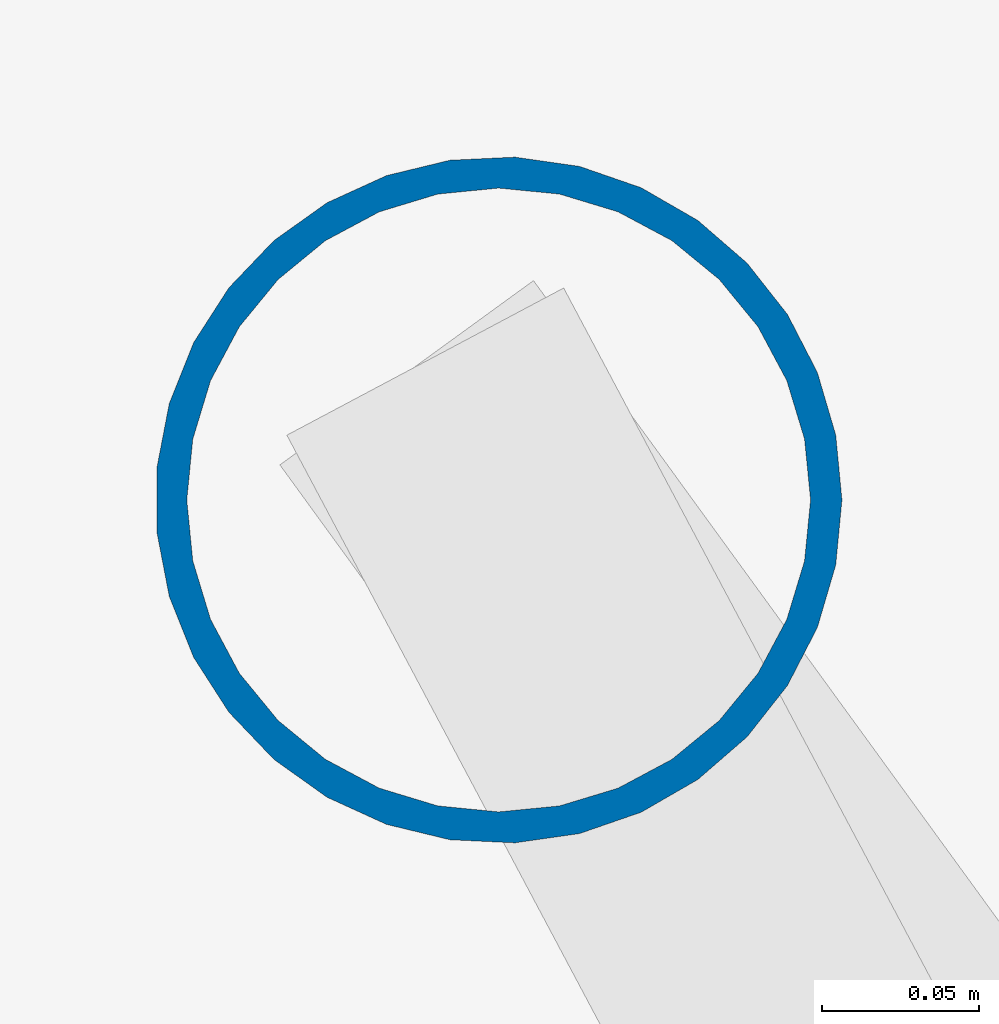
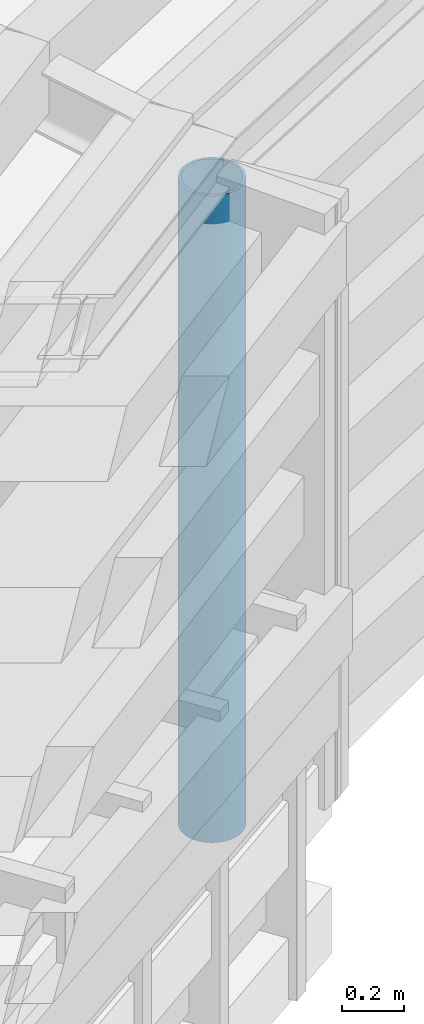
# One storey, part 8 of 74: 1 column.
"""IFC4 building model written with IfcOpenShell, lengths in metres."""

from ifc_helpers import new_model, si_unit, direction, frame, origin, origin_2d, place, context, subcontext, project, spatial, hollow_circle, extrude, material, material_profile, profile_set, type_object, element, save


model = new_model("IFC4")

# Units and contexts
model_context = context("Model", 3, precision=1e-05, world=origin(), true_north=direction((0.0, 1.0)))
body_context = subcontext(model_context, "Body", "Model", "MODEL_VIEW")
ifc_project = project(units=[si_unit("LENGTHUNIT", "METRE"), si_unit("AREAUNIT", "SQUARE_METRE"), si_unit("VOLUMEUNIT", "CUBIC_METRE"), si_unit("PLANEANGLEUNIT", "RADIAN"), si_unit("MASSUNIT", "GRAM", prefix="KILO")], contexts=[model_context])

# Site, building, storey
site_placement = place(None, origin())
site = spatial("IfcSite", under=ifc_project, at=site_placement, CompositionType="ELEMENT")
building_placement = place(site_placement, origin())
building = spatial("IfcBuilding", under=site, at=building_placement, Name="Clarverna Civic Hall", CompositionType="ELEMENT")
storey_placement = place(building_placement, frame((0.0, 0.0, 13.199951171875)))
storey = spatial("IfcBuildingStorey", under=building, at=storey_placement, Name="L03", CompositionType="ELEMENT", Elevation=13.199951171875)

# Column
ifc_material = material(Name="Steel S355", Category="steel")
ifc_material_profile = material_profile(ifc_material, hollow_circle(Radius=0.109619140625, WallThickness=0.010009765625, at=origin_2d()), Name="CHS 219.1x10.0")
ifc_profile_set = profile_set([ifc_material_profile], Name="Steel S355")
column_type = type_object("IfcColumnType", Name="C-ST16", PredefinedType="COLUMN", material=ifc_profile_set)
column_placement = place(storey_placement, frame((117.44921875, 63.292724609375, 0.0), z_axis=(0.0, 0.0, 1.0), x_axis=(1.0, 0.0, 0.0)))
element("IfcColumn", 1, at=column_placement, inside=storey, type_object=column_type, Name="C-ST16-004", PredefinedType="COLUMN", context=body_context, shape_type="SweptSolid", body=[
    extrude(hollow_circle(Radius=0.109619140625, WallThickness=0.010009765625, at=origin_2d()), origin(), (0.0, 0.0, 1.0), 2.550048828125),
])

save(model, "model.ifc")
